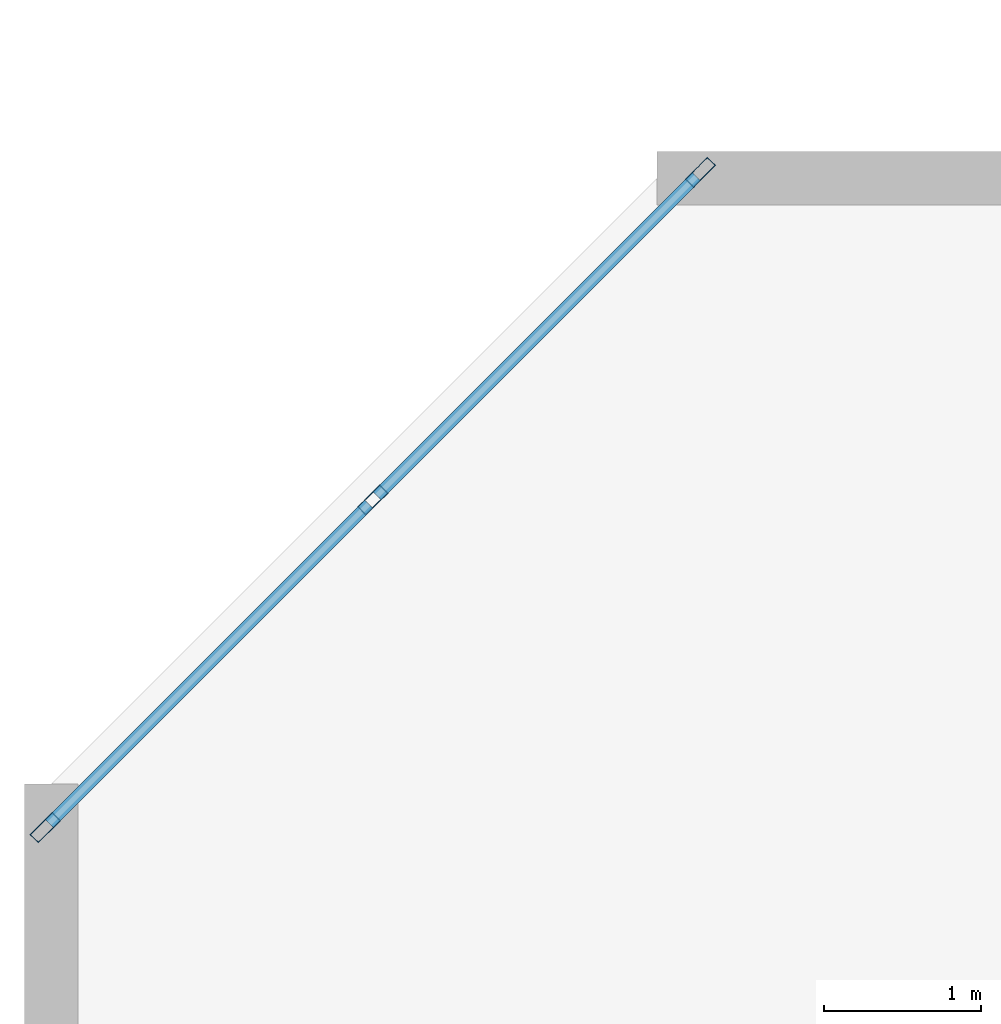
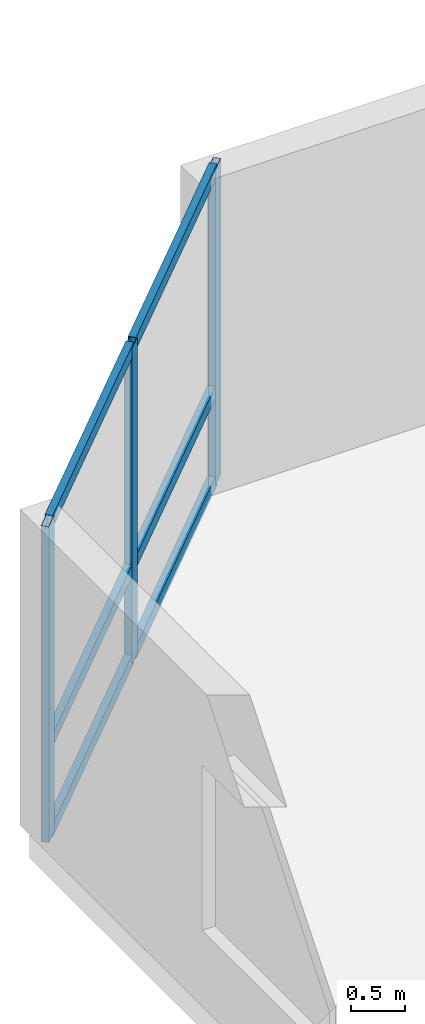
# One storey, part 3 of 12: 9 members, 1 element without a shape of its own.
"""IFC4 building model written with IfcOpenShell, lengths in metres."""

from ifc_helpers import new_model, si_unit, direction, frame, origin, origin_2d, place, context, subcontext, project, spatial, hollow_rectangle, extrude, material, layer, layer_set, material_profile, profile_set, type_object, element, aggregate, save


model = new_model("IFC4")

# Units and contexts
model_context = context("Model", 3, precision=1e-05, world=origin(), true_north=direction((0.0, 1.0)))
body_context = subcontext(model_context, "Body", "Model", "MODEL_VIEW")
ifc_project = project(units=[si_unit("LENGTHUNIT", "METRE"), si_unit("AREAUNIT", "SQUARE_METRE"), si_unit("VOLUMEUNIT", "CUBIC_METRE"), si_unit("PLANEANGLEUNIT", "RADIAN"), si_unit("MASSUNIT", "GRAM", prefix="KILO")], contexts=[model_context])

# Site, building, storey
site_placement = place(None, origin())
site = spatial("IfcSite", under=ifc_project, at=site_placement, CompositionType="ELEMENT")
building_placement = place(site_placement, origin())
building = spatial("IfcBuilding", under=site, at=building_placement, Name="Kestravale Grand Hotel", CompositionType="ELEMENT")
storey_placement = place(building_placement, frame((0.0, 0.0, 60.199951171875)))
storey = spatial("IfcBuildingStorey", under=building, at=storey_placement, Name="L14", CompositionType="ELEMENT", Elevation=60.199951171875)

# Curtain wall, members
ifc_material_1 = material(Name="Thermally broken champagne-bronze aluminium and low-E glazing", Category="aluminium")
ifc_layer = layer(ifc_material_1, 0.199951171875)
ifc_layer_set = layer_set([ifc_layer], Name="CW-Z1")
curtain_wall_type = type_object("IfcCurtainWallType", Name="CW-Z1", PredefinedType="NOTDEFINED", material=ifc_layer_set)
curtain_wall_placement = place(storey_placement, origin())
curtain_wall = element("IfcCurtainWall", 1, at=curtain_wall_placement, inside=storey, type_object=curtain_wall_type, Name="L14 unitised curtain wall 18", PredefinedType="NOTDEFINED")
ifc_material_2 = material(Name="Aluminium 6063-T6 anodised", Category="aluminium")
ifc_material_profile_1 = material_profile(ifc_material_2, hollow_rectangle(XDim=0.074951171875, YDim=0.199951171875, WallThickness=0.00390625, at=origin_2d()))
ifc_profile_set_1 = profile_set([ifc_material_profile_1], Name="Aluminium 6063-T6 anodised")
member_type_1 = type_object("IfcMemberType", Name="CW-MUL-200", PredefinedType="MULLION", material=ifc_profile_set_1)
member_1_placement = place(storey_placement, frame((6.707763671875, 46.0673828125, 0.0), z_axis=(0.0, 0.0, 1.0), x_axis=(0.707106781187, -0.707106781187, 0.0)))
member_1 = element("IfcMember", 2, at=member_1_placement, type_object=member_type_1, Name="CW-Z1 mullion 1", PredefinedType="MULLION", context=body_context, shape_type="SweptSolid", body=[
    extrude(hollow_rectangle(XDim=0.074951171875, YDim=0.199951171875, WallThickness=0.00390625, at=origin_2d()), origin(), (0.0, 0.0, 1.0), 3.5400390625),
])
member_2_placement = place(storey_placement, frame((4.6201171875, 43.979736328125, 0.0), z_axis=(0.0, 0.0, 1.0), x_axis=(0.707106781187, -0.707106781187, 0.0)))
member_2 = element("IfcMember", 3, at=member_2_placement, type_object=member_type_1, Name="CW-Z1 mullion 2", PredefinedType="MULLION", context=body_context, shape_type="SweptSolid", body=[
    extrude(hollow_rectangle(XDim=0.074951171875, YDim=0.199951171875, WallThickness=0.00390625, at=origin_2d()), origin(), (0.0, 0.0, 1.0), 3.5400390625),
])
member_3_placement = place(storey_placement, frame((2.532470703125, 41.89208984375, 0.0), z_axis=(0.0, 0.0, 1.0), x_axis=(0.707106781187, -0.707106781187, 0.0)))
member_3 = element("IfcMember", 4, at=member_3_placement, type_object=member_type_1, Name="CW-Z1 mullion 3", PredefinedType="MULLION", context=body_context, shape_type="SweptSolid", body=[
    extrude(hollow_rectangle(XDim=0.074951171875, YDim=0.199951171875, WallThickness=0.00390625, at=origin_2d()), origin(), (0.0, 0.0, 1.0), 3.5400390625),
])
ifc_material_3 = material(Name="Aluminium 6063-T6 anodised", Category="aluminium")
ifc_material_profile_2 = material_profile(ifc_material_3, hollow_rectangle(XDim=0.074951171875, YDim=0.139892578125, WallThickness=0.00341796875, at=origin_2d()))
ifc_profile_set_2 = profile_set([ifc_material_profile_2], Name="Aluminium 6063-T6 anodised")
member_type_2 = type_object("IfcMemberType", Name="CW-TRN-140", PredefinedType="USERDEFINED", material=ifc_profile_set_2)
member_4_placement = place(storey_placement, frame((6.681396484375, 46.041015625, 0.03759765625), z_axis=(-0.707106781187, -0.707106781187, 0.0), x_axis=(0.707106781187, -0.707106781187, 0.0)))
member_4 = element("IfcMember", 5, at=member_4_placement, type_object=member_type_2, Name="CW-Z1 transom 1.1", ObjectType="TRANSOM", PredefinedType="USERDEFINED", context=body_context, shape_type="SweptSolid", body=[
    extrude(hollow_rectangle(XDim=0.074951171875, YDim=0.139892578125, WallThickness=0.00341796875, at=origin_2d()), origin(), (0.0, 0.0, 1.0), 2.87744140625),
])
member_5_placement = place(storey_placement, frame((6.681396484375, 46.041015625, 1.050048828125), z_axis=(-0.707106781187, -0.707106781187, 0.0), x_axis=(0.707106781187, -0.707106781187, 0.0)))
member_5 = element("IfcMember", 6, at=member_5_placement, type_object=member_type_2, Name="CW-Z1 transom 1.2", ObjectType="TRANSOM", PredefinedType="USERDEFINED", context=body_context, shape_type="SweptSolid", body=[
    extrude(hollow_rectangle(XDim=0.074951171875, YDim=0.139892578125, WallThickness=0.00341796875, at=origin_2d()), origin(), (0.0, 0.0, 1.0), 2.87744140625),
])
member_6_placement = place(storey_placement, frame((6.681396484375, 46.041015625, 3.50244140625), z_axis=(-0.707106781187, -0.707106781187, 0.0), x_axis=(0.707106781187, -0.707106781187, 0.0)))
member_6 = element("IfcMember", 7, at=member_6_placement, type_object=member_type_2, Name="CW-Z1 transom 1.3", ObjectType="TRANSOM", PredefinedType="USERDEFINED", context=body_context, shape_type="SweptSolid", body=[
    extrude(hollow_rectangle(XDim=0.074951171875, YDim=0.139892578125, WallThickness=0.00341796875, at=origin_2d()), origin(), (0.0, 0.0, 1.0), 2.87744140625),
])
member_7_placement = place(storey_placement, frame((4.59375, 43.953369140625, 0.03759765625), z_axis=(-0.707106781187, -0.707106781187, 0.0), x_axis=(0.707106781187, -0.707106781187, 0.0)))
member_7 = element("IfcMember", 8, at=member_7_placement, type_object=member_type_2, Name="CW-Z1 transom 2.1", ObjectType="TRANSOM", PredefinedType="USERDEFINED", context=body_context, shape_type="SweptSolid", body=[
    extrude(hollow_rectangle(XDim=0.074951171875, YDim=0.139892578125, WallThickness=0.00341796875, at=origin_2d()), origin(), (0.0, 0.0, 1.0), 2.87744140625),
])
member_8_placement = place(storey_placement, frame((4.59375, 43.953369140625, 1.050048828125), z_axis=(-0.707106781187, -0.707106781187, 0.0), x_axis=(0.707106781187, -0.707106781187, 0.0)))
member_8 = element("IfcMember", 9, at=member_8_placement, type_object=member_type_2, Name="CW-Z1 transom 2.2", ObjectType="TRANSOM", PredefinedType="USERDEFINED", context=body_context, shape_type="SweptSolid", body=[
    extrude(hollow_rectangle(XDim=0.074951171875, YDim=0.139892578125, WallThickness=0.00341796875, at=origin_2d()), origin(), (0.0, 0.0, 1.0), 2.87744140625),
])
member_9_placement = place(storey_placement, frame((4.59375, 43.953369140625, 3.50244140625), z_axis=(-0.707106781187, -0.707106781187, 0.0), x_axis=(0.707106781187, -0.707106781187, 0.0)))
member_9 = element("IfcMember", 10, at=member_9_placement, type_object=member_type_2, Name="CW-Z1 transom 2.3", ObjectType="TRANSOM", PredefinedType="USERDEFINED", context=body_context, shape_type="SweptSolid", body=[
    extrude(hollow_rectangle(XDim=0.074951171875, YDim=0.139892578125, WallThickness=0.00341796875, at=origin_2d()), origin(), (0.0, 0.0, 1.0), 2.87744140625),
])
aggregate(curtain_wall, [member_1, member_2, member_3, member_4, member_5, member_6, member_7, member_8, member_9])

save(model, "model.ifc")
